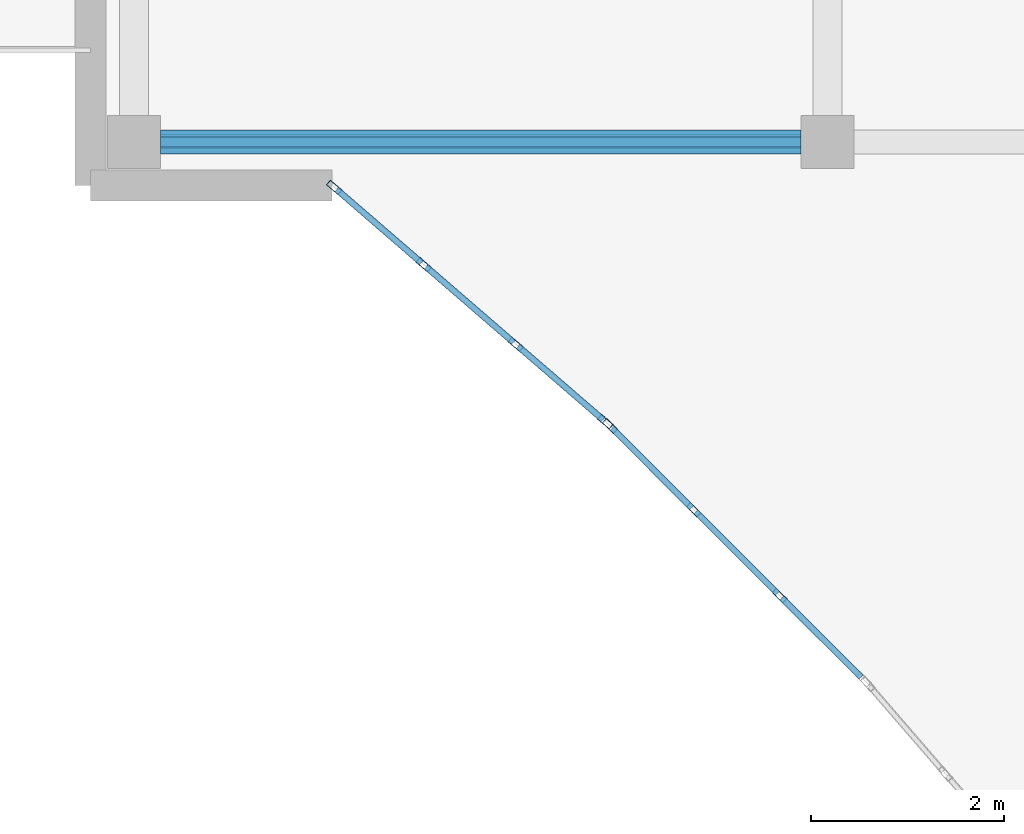
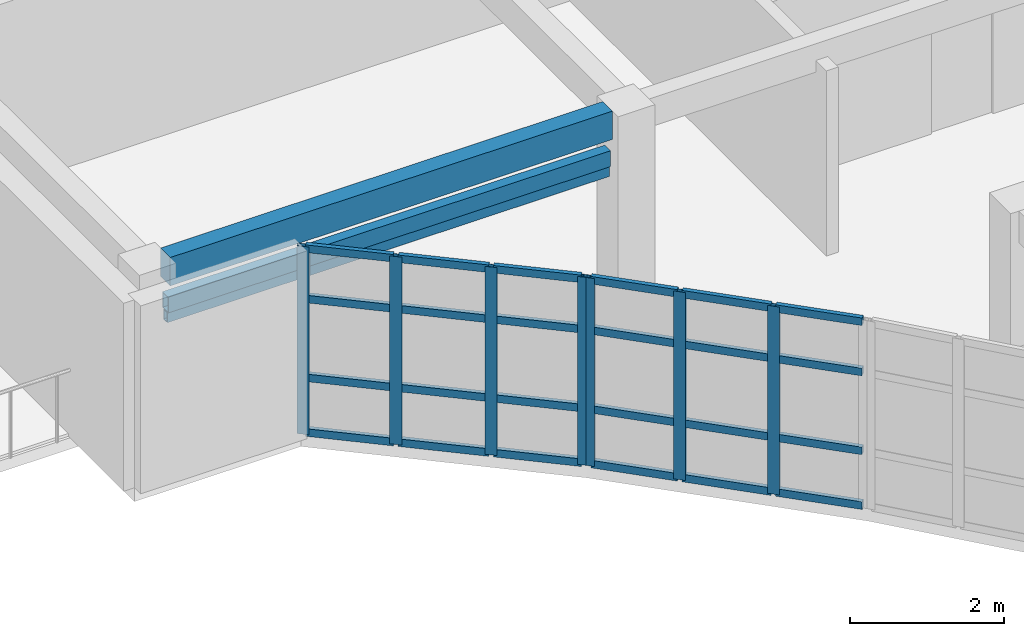
# One storey, part 9 of 68: 33 members, 1 beam, 2 elements without a shape of their own.
"""IFC4 building model written with IfcOpenShell, lengths in metres."""

import ifcopenshell
import ifcopenshell.guid

model = None  # the IFC model being written
_history = None  # IfcOwnerHistory: only IFC2X3 demands one
_inside = {}  # id of a spatial element -> (the spatial element, [elements in it])
_under = {}  # id of a project, library or spatial element -> (it, [spatial elements below it])
_declared = {}  # id of a project -> (the project, [libraries it declares])
_typed = {}  # id of a type object -> (the type object, [elements of that type])
_made_of = {}  # id of a material, layer set ... -> (it, [elements and type objects made of it])


def new_model(schema):
    """Start an empty IFC model of exactly this schema.

    Asked for "IFC4X3", IfcOpenShell would pick the latest addendum, in which some entities
    have other attributes; the version numbers below select the first issue.
    IFC2X3 requires an IfcOwnerHistory on every rooted entity: one is made here for all.
    """
    global model, _history
    if schema == "IFC4X3":
        model = ifcopenshell.file(schema_version=(4, 3, 0, 0))
    else:
        model = ifcopenshell.file(schema=schema)
    _inside.clear()
    _under.clear()
    _declared.clear()
    _typed.clear()
    _made_of.clear()
    _history = None
    if model.schema == "IFC2X3":
        org = make("IfcOrganization", Name="unknown")
        user = make(
            "IfcPersonAndOrganization",
            ThePerson=make("IfcPerson", FamilyName="unknown"),
            TheOrganization=org,
        )
        app = make(
            "IfcApplication",
            ApplicationDeveloper=org,
            Version="unknown",
            ApplicationFullName="unknown",
            ApplicationIdentifier="unknown",
        )
        _history = make(
            "IfcOwnerHistory",
            OwningUser=user,
            OwningApplication=app,
            ChangeAction="ADDED",
            CreationDate=0,
        )
    return model


def make(cls, **values):
    """One entity of the class cls with the attributes given. An attribute that is None is left unset."""
    return model.create_entity(
        cls, **{name: value for name, value in values.items() if value is not None}
    )


def rooted(cls, **values):
    """An entity with a GlobalId (a new one), such as an element, a storey or a relation."""
    return make(cls, GlobalId=ifcopenshell.guid.new(), OwnerHistory=_history, **values)


def si_unit(unit_type, name, prefix=None):
    """IfcSIUnit, for example si_unit("LENGTHUNIT", "METRE", prefix="MILLI")."""
    return make("IfcSIUnit", UnitType=unit_type, Prefix=prefix, Name=name)


def assignment(units):
    """IfcUnitAssignment: the units of a project."""
    return None if units is None else make("IfcUnitAssignment", Units=units)


def point(xyz):
    """IfcCartesianPoint."""
    return None if xyz is None else make("IfcCartesianPoint", Coordinates=xyz)


def direction(xyz):
    """IfcDirection."""
    return None if xyz is None else make("IfcDirection", DirectionRatios=xyz)


def frame(location, z_axis=None, x_axis=None):
    """IfcAxis2Placement3D, a coordinate frame: its origin and axes. An axis left out is left unset."""
    return make(
        "IfcAxis2Placement3D",
        Location=point(location),
        Axis=direction(z_axis),
        RefDirection=direction(x_axis),
    )


def frame_2d(location, x_axis=None):
    """IfcAxis2Placement2D, a coordinate frame in the plane: its origin and x axis."""
    return make(
        "IfcAxis2Placement2D", Location=point(location), RefDirection=direction(x_axis)
    )


def origin():
    """The frame at (0, 0, 0) with its axes left unset."""
    return frame((0.0, 0.0, 0.0))


def origin_2d():
    """The frame at (0, 0) in the plane with its x axis left unset."""
    return frame_2d((0.0, 0.0))


def place(relative_to, where):
    """IfcLocalPlacement: puts the frame where relative to a parent placement (None: the world)."""
    return make(
        "IfcLocalPlacement", PlacementRelTo=relative_to, RelativePlacement=where
    )


def context(
    kind, dimensions, precision=None, world=None, true_north=None, identifier=None
):
    """IfcGeometricRepresentationContext, for example the 3D "Model" context."""
    return make(
        "IfcGeometricRepresentationContext",
        ContextIdentifier=identifier,
        ContextType=kind,
        CoordinateSpaceDimension=dimensions,
        Precision=precision,
        WorldCoordinateSystem=world,
        TrueNorth=true_north,
    )


def subcontext(parent, identifier, kind, view, scale=None):
    """IfcGeometricRepresentationSubContext, for example "Body" below "Model"."""
    return make(
        "IfcGeometricRepresentationSubContext",
        ContextIdentifier=identifier,
        ContextType=kind,
        ParentContext=parent,
        TargetScale=scale,
        TargetView=view,
    )


def project(units=None, contexts=None):
    """IfcProject with its units and contexts."""
    return rooted(
        "IfcProject",
        Name="project",
        RepresentationContexts=contexts,
        UnitsInContext=assignment(units),
    )


def spatial(cls, under=None, at=None, **own):
    """A site, building, storey or space (cls), placed at a placement, below another one or the project."""
    s = rooted(cls, ObjectPlacement=at, **own)
    if under is not None:
        _under.setdefault(under.id(), (under, []))[1].append(s)
    return s


def profile(cls, at=None, kind="AREA", **sizes):
    """A parametric profile (cls). Its sizes go by their IFC names, for example OverallWidth=200.0."""
    return make(cls, ProfileType=kind, Position=at, **sizes)


def rectangle(**sizes):
    """IfcRectangleProfileDef."""
    return profile("IfcRectangleProfileDef", **sizes)


def hollow_rectangle(**sizes):
    """IfcRectangleHollowProfileDef."""
    return profile("IfcRectangleHollowProfileDef", **sizes)


def extrude(swept, where, along, depth):
    """IfcExtrudedAreaSolid: the profile swept, set in the frame where, extruded along a direction by depth."""
    return make(
        "IfcExtrudedAreaSolid",
        SweptArea=swept,
        Position=where,
        ExtrudedDirection=direction(along),
        Depth=depth,
    )


def shape(context_of_items, identifier, shape_type, items):
    """IfcShapeRepresentation: the items that make up one representation, for example the "Body"."""
    return make(
        "IfcShapeRepresentation",
        ContextOfItems=context_of_items,
        RepresentationIdentifier=identifier,
        RepresentationType=shape_type,
        Items=items,
    )


def material(Name=None, Category=None):
    """IfcMaterial."""
    return make("IfcMaterial", Name=Name, Category=Category)


def layer(
    of_material, thickness, ventilated=None, Name=None, Category=None, Priority=None
):
    """IfcMaterialLayer: one layer of a wall or slab, of a material (None: an air gap)."""
    return make(
        "IfcMaterialLayer",
        Material=of_material,
        LayerThickness=thickness,
        IsVentilated=ventilated,
        Name=Name,
        Category=Category,
        Priority=Priority,
    )


def layer_set(layers, Name=None):
    """IfcMaterialLayerSet."""
    return make("IfcMaterialLayerSet", MaterialLayers=layers, LayerSetName=Name)


def material_profile(
    of_material, cross_section, Name=None, Category=None, Priority=None
):
    """IfcMaterialProfile: a cross section and its material."""
    return make(
        "IfcMaterialProfile",
        Name=Name,
        Material=of_material,
        Profile=cross_section,
        Priority=Priority,
        Category=Category,
    )


def profile_set(profiles, Name=None, composite=None):
    """IfcMaterialProfileSet."""
    return make(
        "IfcMaterialProfileSet",
        Name=Name,
        MaterialProfiles=profiles,
        CompositeProfile=composite,
    )


def made_of(thing, what):
    """Note that an element or type object is made of a material, layer set ...; save() writes the relation."""
    if what is not None:
        _made_of.setdefault(what.id(), (what, []))[1].append(thing)
    return thing


def type_object(cls, material=None, **own):
    """A type object (cls), such as IfcWallType, which elements share."""
    return made_of(rooted(cls, **own), material)


def element(
    cls,
    number,
    at=None,
    inside=None,
    cuts=None,
    type_object=None,
    material=None,
    context=None,
    identifier="Body",
    shape_type=None,
    held_by="IfcProductDefinitionShape",
    body=None,
    shapes=None,
    **own,
):
    """One element of the class cls, such as IfcWall. Its Tag is "e" and its number.

    at: its placement. inside: the storey or other place that contains it. cuts: it is an
    opening in that element (IfcRelVoidsElement). A single representation is given by context,
    identifier, shape_type and body (its items); several are given by shapes. held_by: the class
    of the entity that holds the representations. save() writes the other relations.
    """
    e = rooted(cls, Tag="e%d" % number, ObjectPlacement=at, **own)
    if body is not None:
        shapes = [shape(context, identifier, shape_type, body)]
    if shapes is not None:
        e.Representation = make(held_by, Representations=shapes)
    if inside is not None:
        _inside.setdefault(inside.id(), (inside, []))[1].append(e)
    if cuts is not None:
        rooted(
            "IfcRelVoidsElement", RelatingBuildingElement=cuts, RelatedOpeningElement=e
        )
    if type_object is not None:
        _typed.setdefault(type_object.id(), (type_object, []))[1].append(e)
    return made_of(e, material)


def aggregate(whole, parts):
    """IfcRelAggregates: a whole, such as a stair, and the parts it consists of."""
    return rooted("IfcRelAggregates", RelatingObject=whole, RelatedObjects=parts)


def save(model, path):
    """Write the relations noted so far, then the file.

    IfcRelAggregates (storeys below a building ...), IfcRelContainedInSpatialStructure (elements
    in a storey), IfcRelDefinesByType, IfcRelAssociatesMaterial and IfcRelDeclares: one each for
    every whole, place, type object, material and project.
    """
    for whole, parts in _under.values():
        aggregate(whole, parts)
    for where, things in _inside.values():
        rooted(
            "IfcRelContainedInSpatialStructure",
            RelatedElements=things,
            RelatingStructure=where,
        )
    for kind, things in _typed.values():
        rooted("IfcRelDefinesByType", RelatedObjects=things, RelatingType=kind)
    for what, things in _made_of.values():
        rooted("IfcRelAssociatesMaterial", RelatedObjects=things, RelatingMaterial=what)
    for by, libraries in _declared.values():
        rooted("IfcRelDeclares", RelatingContext=by, RelatedDefinitions=libraries)
    model.write(path)


model = new_model("IFC4")

# Units and contexts
model_context = context("Model", 3, precision=1e-05, world=origin(), true_north=direction((0.0, 1.0)))
body_context = subcontext(model_context, "Body", "Model", "MODEL_VIEW")
ifc_project = project(units=[si_unit("LENGTHUNIT", "METRE"), si_unit("AREAUNIT", "SQUARE_METRE"), si_unit("VOLUMEUNIT", "CUBIC_METRE"), si_unit("PLANEANGLEUNIT", "RADIAN"), si_unit("MASSUNIT", "GRAM", prefix="KILO")], contexts=[model_context])

# Site, building, storey
site_placement = place(None, origin())
site = spatial("IfcSite", under=ifc_project, at=site_placement, CompositionType="ELEMENT")
building_placement = place(site_placement, origin())
building = spatial("IfcBuilding", under=site, at=building_placement, Name="Keldmere Railside Commons", CompositionType="ELEMENT")
storey_placement = place(building_placement, frame((0.0, 0.0, 23.360107421875)))
storey = spatial("IfcBuildingStorey", under=building, at=storey_placement, Name="L07", CompositionType="ELEMENT", Elevation=23.360107421875)

# Member
ifc_material_1 = material(Name="Steel F-36 (S355)", Category="steel")
ifc_material_profile_1 = material_profile(ifc_material_1, hollow_rectangle(XDim=0.14990234375, YDim=0.25, WallThickness=0.010009765625, at=origin_2d()), Name="RHS-250x150x10")
ifc_profile_set_1 = profile_set([ifc_material_profile_1], Name="Steel F-36 (S355)")
member_type_1 = type_object("IfcMemberType", Name="Balcony Continuous Planted Trough RHS250x150", PredefinedType="CHORD", material=ifc_profile_set_1)
member_1_placement = place(storey_placement, frame((94.22509765625, 100.449951171875, 2.414794921875), z_axis=(1.0, 0.0, 0.0), x_axis=(0.0, 1.0, 0.0)))
element("IfcMember", 1, at=member_1_placement, inside=storey, type_object=member_type_1, Name="PLT-1 MEM-BPLT-0823", PredefinedType="CHORD", context=body_context, shape_type="SweptSolid", body=[
    extrude(hollow_rectangle(XDim=0.14990234375, YDim=0.25, WallThickness=0.010009765625, at=origin_2d()), origin(), (0.0, 0.0, 1.0), 6.6328125),
])

# Beam
ifc_material_2 = material(Name="Architectural Precast Concrete H-35 (C35/45)", Category="concrete")
ifc_material_profile_2 = material_profile(ifc_material_2, rectangle(XDim=0.25, YDim=0.449951171875, at=origin_2d()), Name="RC-250x450")
ifc_profile_set_2 = profile_set([ifc_material_profile_2], Name="Architectural Precast Concrete H-35 (C35/45)")
beam_type = type_object("IfcBeamType", Name="Perimeter Precast Spandrel Beam 250x450", PredefinedType="SPANDREL", material=ifc_profile_set_2)
beam_placement = place(storey_placement, frame((94.22509765625, 100.449951171875, 2.974853515625), z_axis=(1.0, 0.0, 0.0), x_axis=(0.0, 1.0, 0.0)))
element("IfcBeam", 2, at=beam_placement, inside=storey, type_object=beam_type, Name="SPB-1 BM-L07-2058", PredefinedType="SPANDREL", context=body_context, shape_type="SweptSolid", body=[
    extrude(rectangle(XDim=0.25, YDim=0.449951171875, at=origin_2d()), origin(), (0.0, 0.0, 1.0), 6.6328125),
])

# Member
ifc_material_profile_3 = material_profile(ifc_material_1, hollow_rectangle(XDim=0.10009765625, YDim=0.159912109375, WallThickness=0.008056640625, at=origin_2d()), Name="RHS-160x100x8")
ifc_profile_set_3 = profile_set([ifc_material_profile_3], Name="Steel F-36 (S355)")
member_type_2 = type_object("IfcMemberType", Name="Solar Brise-Soleil Louvre Fin RHS160x100", PredefinedType="STRUT", material=ifc_profile_set_3)
member_2_placement = place(storey_placement, frame((94.22509765625, 100.449951171875, 2.199951171875), z_axis=(1.0, 0.0, 0.0), x_axis=(0.0, 1.0, 0.0)))
element("IfcMember", 3, at=member_2_placement, inside=storey, type_object=member_type_2, Name="BSF-1 MEM-BSF-0824", PredefinedType="STRUT", context=body_context, shape_type="SweptSolid", body=[
    extrude(hollow_rectangle(XDim=0.10009765625, YDim=0.159912109375, WallThickness=0.008056640625, at=origin_2d()), origin(), (0.0, 0.0, 1.0), 6.6328125),
])

# Curtain wall, members
ifc_material_3 = material(Name="Thermally Broken Aluminium", Category="aluminium")
ifc_layer_1 = layer(ifc_material_3, 0.159912109375, Name="Court Chord Wintergarden CW 4800x2850")
ifc_layer_set_1 = layer_set([ifc_layer_1], Name="Thermally Broken Aluminium")
curtain_wall_type_1 = type_object("IfcCurtainWallType", Name="Court Chord Wintergarden CW 4800x2850", PredefinedType="NOTDEFINED", material=ifc_layer_set_1)
curtain_wall_1_placement = place(storey_placement, origin())
curtain_wall_1 = element("IfcCurtainWall", 4, at=curtain_wall_1_placement, inside=storey, type_object=curtain_wall_type_1, Name="CW-12 CW-L07-130", PredefinedType="NOTDEFINED")
ifc_material_profile_4 = material_profile(ifc_material_3, hollow_rectangle(XDim=0.06494140625, YDim=0.159912109375, WallThickness=0.00390625, at=origin_2d()), Name="ALU-MULL-65x160")
ifc_profile_set_4 = profile_set([ifc_material_profile_4], Name="Thermally Broken Aluminium")
member_type_3 = type_object("IfcMemberType", Name="Unitised Curtain Wall Mullion 65x160", PredefinedType="MULLION", material=ifc_profile_set_4)
member_3_placement = place(storey_placement, frame((98.83349609375, 97.55126953125, 0.0), z_axis=(0.0, 0.0, 1.0), x_axis=(-0.653881741053, -0.756596767584, 0.0)))
member_3 = element("IfcMember", 5, at=member_3_placement, type_object=member_type_3, Name="CW-12 mullion 1", PredefinedType="MULLION", context=body_context, shape_type="SweptSolid", body=[
    extrude(hollow_rectangle(XDim=0.06494140625, YDim=0.159912109375, WallThickness=0.00390625, at=origin_2d()), origin(), (0.0, 0.0, 1.0), 2.97998046875),
])
member_4_placement = place(storey_placement, frame((97.9052734375, 98.353271484375, 0.0), z_axis=(0.0, 0.0, 1.0), x_axis=(-0.653881741053, -0.756596767584, 0.0)))
member_4 = element("IfcMember", 6, at=member_4_placement, type_object=member_type_3, Name="CW-12 mullion 2", PredefinedType="MULLION", context=body_context, shape_type="SweptSolid", body=[
    extrude(hollow_rectangle(XDim=0.06494140625, YDim=0.159912109375, WallThickness=0.00390625, at=origin_2d()), origin(), (0.0, 0.0, 1.0), 2.97998046875),
])
member_5_placement = place(storey_placement, frame((96.95263671875, 99.1767578125, 0.0), z_axis=(0.0, 0.0, 1.0), x_axis=(-0.653881741053, -0.756596767584, 0.0)))
member_5 = element("IfcMember", 7, at=member_5_placement, type_object=member_type_3, Name="CW-12 mullion 3", PredefinedType="MULLION", context=body_context, shape_type="SweptSolid", body=[
    extrude(hollow_rectangle(XDim=0.06494140625, YDim=0.159912109375, WallThickness=0.00390625, at=origin_2d()), origin(), (0.0, 0.0, 1.0), 2.97998046875),
])
member_6_placement = place(storey_placement, frame((96.024658203125, 99.978759765625, 0.0), z_axis=(0.0, 0.0, 1.0), x_axis=(-0.653881741053, -0.756596767584, 0.0)))
member_6 = element("IfcMember", 8, at=member_6_placement, type_object=member_type_3, Name="CW-12 mullion 4", PredefinedType="MULLION", context=body_context, shape_type="SweptSolid", body=[
    extrude(hollow_rectangle(XDim=0.06494140625, YDim=0.159912109375, WallThickness=0.00390625, at=origin_2d()), origin(), (0.0, 0.0, 1.0), 2.97998046875),
])

ifc_layer_2 = layer(ifc_material_3, 0.159912109375, Name="Court Chord Wintergarden CW 5400x2850")
ifc_layer_set_2 = layer_set([ifc_layer_2], Name="Thermally Broken Aluminium")
curtain_wall_type_2 = type_object("IfcCurtainWallType", Name="Court Chord Wintergarden CW 5400x2850", PredefinedType="NOTDEFINED", material=ifc_layer_set_2)
curtain_wall_2_placement = place(storey_placement, origin())
curtain_wall_2 = element("IfcCurtainWall", 9, at=curtain_wall_2_placement, inside=storey, type_object=curtain_wall_type_2, Name="CW-13 CW-L07-131", PredefinedType="NOTDEFINED")
member_7_placement = place(storey_placement, frame((100.639404296875, 95.748779296875, 0.0), z_axis=(0.0, 0.0, 1.0), x_axis=(-0.707106781187, -0.707106781187, 0.0)))
member_7 = element("IfcMember", 10, at=member_7_placement, type_object=member_type_3, Name="CW-13 mullion 2", PredefinedType="MULLION", context=body_context, shape_type="SweptSolid", body=[
    extrude(hollow_rectangle(XDim=0.06494140625, YDim=0.159912109375, WallThickness=0.00390625, at=origin_2d()), origin(), (0.0, 0.0, 1.0), 2.97998046875),
])
member_8_placement = place(storey_placement, frame((99.748779296875, 96.639404296875, 0.0), z_axis=(0.0, 0.0, 1.0), x_axis=(-0.707106781187, -0.707106781187, 0.0)))
member_8 = element("IfcMember", 11, at=member_8_placement, type_object=member_type_3, Name="CW-13 mullion 3", PredefinedType="MULLION", context=body_context, shape_type="SweptSolid", body=[
    extrude(hollow_rectangle(XDim=0.06494140625, YDim=0.159912109375, WallThickness=0.00390625, at=origin_2d()), origin(), (0.0, 0.0, 1.0), 2.97998046875),
])
member_9_placement = place(storey_placement, frame((98.880859375, 97.507080078125, 0.0), z_axis=(0.0, 0.0, 1.0), x_axis=(-0.707106781187, -0.707106781187, 0.0)))
member_9 = element("IfcMember", 12, at=member_9_placement, type_object=member_type_3, Name="CW-13 mullion 4", PredefinedType="MULLION", context=body_context, shape_type="SweptSolid", body=[
    extrude(hollow_rectangle(XDim=0.06494140625, YDim=0.159912109375, WallThickness=0.00390625, at=origin_2d()), origin(), (0.0, 0.0, 1.0), 2.97998046875),
])

# Member
ifc_material_profile_5 = material_profile(ifc_material_3, hollow_rectangle(XDim=0.06494140625, YDim=0.1201171875, WallThickness=0.00390625, at=origin_2d()), Name="ALU-TRAN-65x120")
ifc_profile_set_5 = profile_set([ifc_material_profile_5], Name="Thermally Broken Aluminium")
member_type_4 = type_object("IfcMemberType", Name="Unitised Curtain Wall Transom 65x120", PredefinedType="USERDEFINED", material=ifc_profile_set_5)
member_10_placement = place(storey_placement, frame((98.808837890625, 97.572509765625, 0.032470703125), z_axis=(-0.756624489527, 0.653849663033, 0.0), x_axis=(-0.653849663033, -0.756624489527, 0.0)))
member_10 = element("IfcMember", 13, at=member_10_placement, type_object=member_type_4, Name="CW-12 transom 1.1", ObjectType="TRANSOM", PredefinedType="USERDEFINED", context=body_context, shape_type="SweptSolid", body=[
    extrude(hollow_rectangle(XDim=0.06494140625, YDim=0.1201171875, WallThickness=0.00390625, at=origin_2d()), origin(), (0.0, 0.0, 1.0), 1.16162109375),
])

member_11_placement = place(storey_placement, frame((98.808837890625, 97.572509765625, 0.89990234375), z_axis=(-0.756624489527, 0.653849663033, 0.0), x_axis=(-0.653849663033, -0.756624489527, 0.0)))
member_11 = element("IfcMember", 14, at=member_11_placement, type_object=member_type_4, Name="CW-12 transom 1.2", ObjectType="TRANSOM", PredefinedType="USERDEFINED", context=body_context, shape_type="SweptSolid", body=[
    extrude(hollow_rectangle(XDim=0.06494140625, YDim=0.1201171875, WallThickness=0.00390625, at=origin_2d()), origin(), (0.0, 0.0, 1.0), 1.16162109375),
])

member_12_placement = place(storey_placement, frame((98.808837890625, 97.572509765625, 2.14990234375), z_axis=(-0.756624489527, 0.653849663033, 0.0), x_axis=(-0.653849663033, -0.756624489527, 0.0)))
member_12 = element("IfcMember", 15, at=member_12_placement, type_object=member_type_4, Name="CW-12 transom 1.3", ObjectType="TRANSOM", PredefinedType="USERDEFINED", context=body_context, shape_type="SweptSolid", body=[
    extrude(hollow_rectangle(XDim=0.06494140625, YDim=0.1201171875, WallThickness=0.00390625, at=origin_2d()), origin(), (0.0, 0.0, 1.0), 1.16162109375),
])

member_13_placement = place(storey_placement, frame((98.808837890625, 97.572509765625, 2.947509765625), z_axis=(-0.756624489527, 0.653849663033, 0.0), x_axis=(-0.653849663033, -0.756624489527, 0.0)))
member_13 = element("IfcMember", 16, at=member_13_placement, type_object=member_type_4, Name="CW-12 transom 1.4", ObjectType="TRANSOM", PredefinedType="USERDEFINED", context=body_context, shape_type="SweptSolid", body=[
    extrude(hollow_rectangle(XDim=0.06494140625, YDim=0.1201171875, WallThickness=0.00390625, at=origin_2d()), origin(), (0.0, 0.0, 1.0), 1.16162109375),
])

member_14_placement = place(storey_placement, frame((97.880859375, 98.37451171875, 0.032470703125), z_axis=(-0.756551755881, 0.653933819796, 0.0), x_axis=(-0.653933819796, -0.756551755881, 0.0)))
member_14 = element("IfcMember", 17, at=member_14_placement, type_object=member_type_4, Name="CW-12 transom 2.1", ObjectType="TRANSOM", PredefinedType="USERDEFINED", context=body_context, shape_type="SweptSolid", body=[
    extrude(hollow_rectangle(XDim=0.06494140625, YDim=0.1201171875, WallThickness=0.00390625, at=origin_2d()), origin(), (0.0, 0.0, 1.0), 1.1943359375),
])

member_15_placement = place(storey_placement, frame((97.880859375, 98.37451171875, 0.89990234375), z_axis=(-0.756551755881, 0.653933819796, 0.0), x_axis=(-0.653933819796, -0.756551755881, 0.0)))
member_15 = element("IfcMember", 18, at=member_15_placement, type_object=member_type_4, Name="CW-12 transom 2.2", ObjectType="TRANSOM", PredefinedType="USERDEFINED", context=body_context, shape_type="SweptSolid", body=[
    extrude(hollow_rectangle(XDim=0.06494140625, YDim=0.1201171875, WallThickness=0.00390625, at=origin_2d()), origin(), (0.0, 0.0, 1.0), 1.1943359375),
])

member_16_placement = place(storey_placement, frame((97.880859375, 98.37451171875, 2.14990234375), z_axis=(-0.756551755881, 0.653933819796, 0.0), x_axis=(-0.653933819796, -0.756551755881, 0.0)))
member_16 = element("IfcMember", 19, at=member_16_placement, type_object=member_type_4, Name="CW-12 transom 2.3", ObjectType="TRANSOM", PredefinedType="USERDEFINED", context=body_context, shape_type="SweptSolid", body=[
    extrude(hollow_rectangle(XDim=0.06494140625, YDim=0.1201171875, WallThickness=0.00390625, at=origin_2d()), origin(), (0.0, 0.0, 1.0), 1.1943359375),
])

member_17_placement = place(storey_placement, frame((97.880859375, 98.37451171875, 2.947509765625), z_axis=(-0.756551755881, 0.653933819796, 0.0), x_axis=(-0.653933819796, -0.756551755881, 0.0)))
member_17 = element("IfcMember", 20, at=member_17_placement, type_object=member_type_4, Name="CW-12 transom 2.4", ObjectType="TRANSOM", PredefinedType="USERDEFINED", context=body_context, shape_type="SweptSolid", body=[
    extrude(hollow_rectangle(XDim=0.06494140625, YDim=0.1201171875, WallThickness=0.00390625, at=origin_2d()), origin(), (0.0, 0.0, 1.0), 1.1943359375),
])

member_18_placement = place(storey_placement, frame((96.927978515625, 99.197998046875, 0.032470703125), z_axis=(-0.756624489527, 0.653849663033, 0.0), x_axis=(-0.653849663033, -0.756624489527, 0.0)))
member_18 = element("IfcMember", 21, at=member_18_placement, type_object=member_type_4, Name="CW-12 transom 3.1", ObjectType="TRANSOM", PredefinedType="USERDEFINED", context=body_context, shape_type="SweptSolid", body=[
    extrude(hollow_rectangle(XDim=0.06494140625, YDim=0.1201171875, WallThickness=0.00390625, at=origin_2d()), origin(), (0.0, 0.0, 1.0), 1.16162109375),
])

member_19_placement = place(storey_placement, frame((96.927978515625, 99.197998046875, 0.89990234375), z_axis=(-0.756624489527, 0.653849663033, 0.0), x_axis=(-0.653849663033, -0.756624489527, 0.0)))
member_19 = element("IfcMember", 22, at=member_19_placement, type_object=member_type_4, Name="CW-12 transom 3.2", ObjectType="TRANSOM", PredefinedType="USERDEFINED", context=body_context, shape_type="SweptSolid", body=[
    extrude(hollow_rectangle(XDim=0.06494140625, YDim=0.1201171875, WallThickness=0.00390625, at=origin_2d()), origin(), (0.0, 0.0, 1.0), 1.16162109375),
])

member_20_placement = place(storey_placement, frame((96.927978515625, 99.197998046875, 2.14990234375), z_axis=(-0.756624489527, 0.653849663033, 0.0), x_axis=(-0.653849663033, -0.756624489527, 0.0)))
member_20 = element("IfcMember", 23, at=member_20_placement, type_object=member_type_4, Name="CW-12 transom 3.3", ObjectType="TRANSOM", PredefinedType="USERDEFINED", context=body_context, shape_type="SweptSolid", body=[
    extrude(hollow_rectangle(XDim=0.06494140625, YDim=0.1201171875, WallThickness=0.00390625, at=origin_2d()), origin(), (0.0, 0.0, 1.0), 1.16162109375),
])

member_21_placement = place(storey_placement, frame((96.927978515625, 99.197998046875, 2.947509765625), z_axis=(-0.756624489527, 0.653849663033, 0.0), x_axis=(-0.653849663033, -0.756624489527, 0.0)))
member_21 = element("IfcMember", 24, at=member_21_placement, type_object=member_type_4, Name="CW-12 transom 3.4", ObjectType="TRANSOM", PredefinedType="USERDEFINED", context=body_context, shape_type="SweptSolid", body=[
    extrude(hollow_rectangle(XDim=0.06494140625, YDim=0.1201171875, WallThickness=0.00390625, at=origin_2d()), origin(), (0.0, 0.0, 1.0), 1.16162109375),
])

aggregate(curtain_wall_1, [member_3, member_4, member_5, member_6, member_10, member_11, member_12, member_13, member_14, member_15, member_16, member_17, member_18, member_19, member_20, member_21])

member_22_placement = place(storey_placement, frame((101.484130859375, 94.904052734375, 0.032470703125), z_axis=(-0.707211825645, 0.707001721121, 0.0), x_axis=(-0.707001721121, -0.707211825645, 0.0)))
member_22 = element("IfcMember", 25, at=member_22_placement, type_object=member_type_4, Name="CW-13 transom 1.1", ObjectType="TRANSOM", PredefinedType="USERDEFINED", context=body_context, shape_type="SweptSolid", body=[
    extrude(hollow_rectangle(XDim=0.06494140625, YDim=0.1201171875, WallThickness=0.00390625, at=origin_2d()), origin(), (0.0, 0.0, 1.0), 1.162109375),
])

member_23_placement = place(storey_placement, frame((101.484130859375, 94.904052734375, 0.89990234375), z_axis=(-0.707211825645, 0.707001721121, 0.0), x_axis=(-0.707001721121, -0.707211825645, 0.0)))
member_23 = element("IfcMember", 26, at=member_23_placement, type_object=member_type_4, Name="CW-13 transom 1.2", ObjectType="TRANSOM", PredefinedType="USERDEFINED", context=body_context, shape_type="SweptSolid", body=[
    extrude(hollow_rectangle(XDim=0.06494140625, YDim=0.1201171875, WallThickness=0.00390625, at=origin_2d()), origin(), (0.0, 0.0, 1.0), 1.162109375),
])

member_24_placement = place(storey_placement, frame((101.484130859375, 94.904052734375, 2.14990234375), z_axis=(-0.707211825645, 0.707001721121, 0.0), x_axis=(-0.707001721121, -0.707211825645, 0.0)))
member_24 = element("IfcMember", 27, at=member_24_placement, type_object=member_type_4, Name="CW-13 transom 1.3", ObjectType="TRANSOM", PredefinedType="USERDEFINED", context=body_context, shape_type="SweptSolid", body=[
    extrude(hollow_rectangle(XDim=0.06494140625, YDim=0.1201171875, WallThickness=0.00390625, at=origin_2d()), origin(), (0.0, 0.0, 1.0), 1.162109375),
])

member_25_placement = place(storey_placement, frame((101.484130859375, 94.904052734375, 2.947509765625), z_axis=(-0.707211825645, 0.707001721121, 0.0), x_axis=(-0.707001721121, -0.707211825645, 0.0)))
member_25 = element("IfcMember", 28, at=member_25_placement, type_object=member_type_4, Name="CW-13 transom 1.4", ObjectType="TRANSOM", PredefinedType="USERDEFINED", context=body_context, shape_type="SweptSolid", body=[
    extrude(hollow_rectangle(XDim=0.06494140625, YDim=0.1201171875, WallThickness=0.00390625, at=origin_2d()), origin(), (0.0, 0.0, 1.0), 1.162109375),
])

member_26_placement = place(storey_placement, frame((100.616455078125, 95.771728515625, 0.032470703125), z_axis=(-0.707106781187, 0.707106781187, 0.0), x_axis=(-0.707106781187, -0.707106781187, 0.0)))
member_26 = element("IfcMember", 29, at=member_26_placement, type_object=member_type_4, Name="CW-13 transom 2.1", ObjectType="TRANSOM", PredefinedType="USERDEFINED", context=body_context, shape_type="SweptSolid", body=[
    extrude(hollow_rectangle(XDim=0.06494140625, YDim=0.1201171875, WallThickness=0.00390625, at=origin_2d()), origin(), (0.0, 0.0, 1.0), 1.194580078125),
])

member_27_placement = place(storey_placement, frame((100.616455078125, 95.771728515625, 0.89990234375), z_axis=(-0.707106781187, 0.707106781187, 0.0), x_axis=(-0.707106781187, -0.707106781187, 0.0)))
member_27 = element("IfcMember", 30, at=member_27_placement, type_object=member_type_4, Name="CW-13 transom 2.2", ObjectType="TRANSOM", PredefinedType="USERDEFINED", context=body_context, shape_type="SweptSolid", body=[
    extrude(hollow_rectangle(XDim=0.06494140625, YDim=0.1201171875, WallThickness=0.00390625, at=origin_2d()), origin(), (0.0, 0.0, 1.0), 1.194580078125),
])

member_28_placement = place(storey_placement, frame((100.616455078125, 95.771728515625, 2.14990234375), z_axis=(-0.707106781187, 0.707106781187, 0.0), x_axis=(-0.707106781187, -0.707106781187, 0.0)))
member_28 = element("IfcMember", 31, at=member_28_placement, type_object=member_type_4, Name="CW-13 transom 2.3", ObjectType="TRANSOM", PredefinedType="USERDEFINED", context=body_context, shape_type="SweptSolid", body=[
    extrude(hollow_rectangle(XDim=0.06494140625, YDim=0.1201171875, WallThickness=0.00390625, at=origin_2d()), origin(), (0.0, 0.0, 1.0), 1.194580078125),
])

member_29_placement = place(storey_placement, frame((100.616455078125, 95.771728515625, 2.947509765625), z_axis=(-0.707106781187, 0.707106781187, 0.0), x_axis=(-0.707106781187, -0.707106781187, 0.0)))
member_29 = element("IfcMember", 32, at=member_29_placement, type_object=member_type_4, Name="CW-13 transom 2.4", ObjectType="TRANSOM", PredefinedType="USERDEFINED", context=body_context, shape_type="SweptSolid", body=[
    extrude(hollow_rectangle(XDim=0.06494140625, YDim=0.1201171875, WallThickness=0.00390625, at=origin_2d()), origin(), (0.0, 0.0, 1.0), 1.194580078125),
])

member_30_placement = place(storey_placement, frame((99.7255859375, 96.662353515625, 0.032470703125), z_axis=(-0.707001721121, 0.707211825645, 0.0), x_axis=(-0.707211825645, -0.707001721121, 0.0)))
member_30 = element("IfcMember", 33, at=member_30_placement, type_object=member_type_4, Name="CW-13 transom 3.1", ObjectType="TRANSOM", PredefinedType="USERDEFINED", context=body_context, shape_type="SweptSolid", body=[
    extrude(hollow_rectangle(XDim=0.06494140625, YDim=0.1201171875, WallThickness=0.00390625, at=origin_2d()), origin(), (0.0, 0.0, 1.0), 1.162109375),
])

member_31_placement = place(storey_placement, frame((99.7255859375, 96.662353515625, 0.89990234375), z_axis=(-0.707001721121, 0.707211825645, 0.0), x_axis=(-0.707211825645, -0.707001721121, 0.0)))
member_31 = element("IfcMember", 34, at=member_31_placement, type_object=member_type_4, Name="CW-13 transom 3.2", ObjectType="TRANSOM", PredefinedType="USERDEFINED", context=body_context, shape_type="SweptSolid", body=[
    extrude(hollow_rectangle(XDim=0.06494140625, YDim=0.1201171875, WallThickness=0.00390625, at=origin_2d()), origin(), (0.0, 0.0, 1.0), 1.162109375),
])

member_32_placement = place(storey_placement, frame((99.7255859375, 96.662353515625, 2.14990234375), z_axis=(-0.707001721121, 0.707211825645, 0.0), x_axis=(-0.707211825645, -0.707001721121, 0.0)))
member_32 = element("IfcMember", 35, at=member_32_placement, type_object=member_type_4, Name="CW-13 transom 3.3", ObjectType="TRANSOM", PredefinedType="USERDEFINED", context=body_context, shape_type="SweptSolid", body=[
    extrude(hollow_rectangle(XDim=0.06494140625, YDim=0.1201171875, WallThickness=0.00390625, at=origin_2d()), origin(), (0.0, 0.0, 1.0), 1.162109375),
])

member_33_placement = place(storey_placement, frame((99.7255859375, 96.662353515625, 2.947509765625), z_axis=(-0.707001721121, 0.707211825645, 0.0), x_axis=(-0.707211825645, -0.707001721121, 0.0)))
member_33 = element("IfcMember", 36, at=member_33_placement, type_object=member_type_4, Name="CW-13 transom 3.4", ObjectType="TRANSOM", PredefinedType="USERDEFINED", context=body_context, shape_type="SweptSolid", body=[
    extrude(hollow_rectangle(XDim=0.06494140625, YDim=0.1201171875, WallThickness=0.00390625, at=origin_2d()), origin(), (0.0, 0.0, 1.0), 1.162109375),
])

aggregate(curtain_wall_2, [member_7, member_8, member_9, member_22, member_23, member_24, member_25, member_26, member_27, member_28, member_29, member_30, member_31, member_32, member_33])

save(model, "model.ifc")
